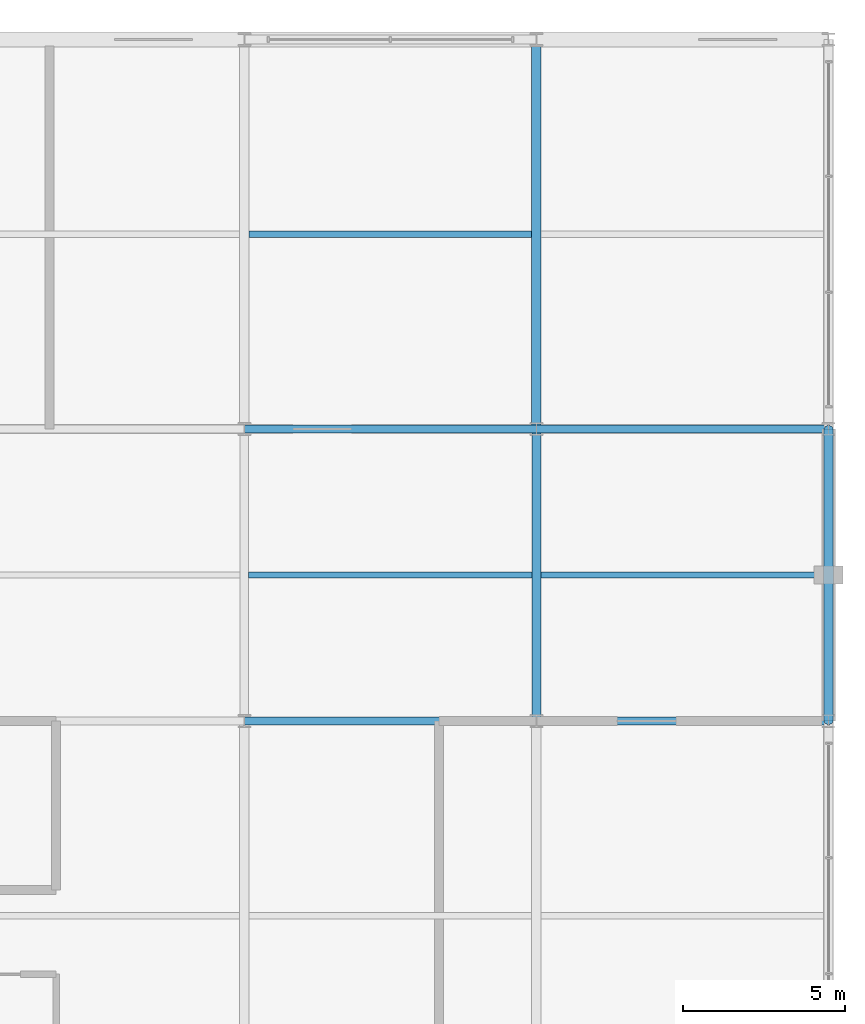
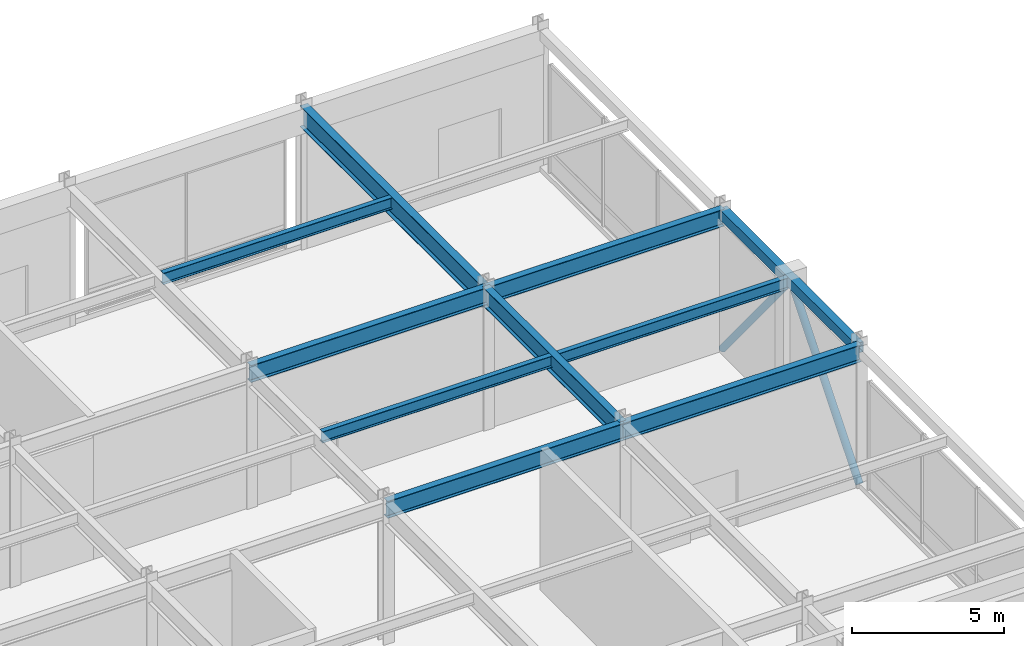
# One storey, part 67 of 105: 10 beams, 2 members.
"""IFC4 building model written with IfcOpenShell, lengths in metres."""

from ifc_helpers import new_model, si_unit, direction, frame, origin, origin_2d, place, context, subcontext, project, spatial, hollow_rectangle, hollow_circle, i_section, extrude, material, material_profile, profile_set, type_object, element, save


model = new_model("IFC4")

# Units and contexts
model_context = context("Model", 3, precision=1e-05, world=origin(), true_north=direction((0.0, 1.0)))
body_context = subcontext(model_context, "Body", "Model", "MODEL_VIEW")
ifc_project = project(units=[si_unit("LENGTHUNIT", "METRE"), si_unit("AREAUNIT", "SQUARE_METRE"), si_unit("VOLUMEUNIT", "CUBIC_METRE"), si_unit("PLANEANGLEUNIT", "RADIAN"), si_unit("MASSUNIT", "GRAM", prefix="KILO")], contexts=[model_context])

# Site, building, storey
site_placement = place(None, origin())
site = spatial("IfcSite", under=ifc_project, at=site_placement, CompositionType="ELEMENT")
building_placement = place(site_placement, origin())
building = spatial("IfcBuilding", under=site, at=building_placement, Name="Kaldorvane Square Convention Centre", CompositionType="ELEMENT")
storey_placement = place(building_placement, frame((0.0, 0.0, 6.0)))
storey = spatial("IfcBuildingStorey", under=building, at=storey_placement, Name="L01", CompositionType="ELEMENT", Elevation=6.0)

# Beams
ifc_material_1 = material(Name="Steel ASTM A992 Gr. 50", Category="steel")
ifc_material_profile_1 = material_profile(ifc_material_1, i_section(OverallWidth=0.25439453125, OverallDepth=0.6880950927734375, WebThickness=0.0131072998046875, FlangeThickness=0.0211029052734375, FilletRadius=0.01519775390625, at=origin_2d()), Name="W27X102")
ifc_profile_set_1 = profile_set([ifc_material_profile_1], Name="Steel ASTM A992 Gr. 50")
beam_type_1 = type_object("IfcBeamType", Name="BM-GR-W27X102", PredefinedType="BEAM", material=ifc_profile_set_1)
for number, where, z_axis, x_axis, name in (
    (1, (156.0, 96.0, 5.332000732421875), (1.0, 0.0, 0.0), (0.0, 1.0, 0.0), "Primary Girder (L01)"),
    (2, (165.0, 96.0, 5.332000732421875), (1.0, 0.0, 0.0), (0.0, 1.0, 0.0), "Primary Girder (L01)"),
    (3, (156.0, 105.0, 5.332000732421875), (1.0, 0.0, 0.0), (0.0, 1.0, 0.0), "Primary Girder (L01)"),
    (4, (165.0, 105.0, 5.332000732421875), (1.0, 0.0, 0.0), (0.0, 1.0, 0.0), "Primary Girder (L01)"),
):
    element("IfcBeam", number, at=place(storey_placement, frame(where, z_axis=z_axis, x_axis=x_axis)), inside=storey, type_object=beam_type_1, Name=name, PredefinedType="BEAM", context=body_context, shape_type="SweptSolid", body=[
        extrude(i_section(OverallWidth=0.25439453125, OverallDepth=0.6880950927734375, WebThickness=0.0131072998046875, FlangeThickness=0.0211029052734375, FilletRadius=0.01519775390625, at=origin_2d()), origin(), (0.0, 0.0, 1.0), 9.0),
    ])
ifc_material_profile_2 = material_profile(ifc_material_1, i_section(OverallWidth=0.2666015625, OverallDepth=0.762298583984375, WebThickness=0.014404296875, FlangeThickness=0.0216064453125, FilletRadius=0.0164947509765625, at=origin_2d()), Name="W30X116")
ifc_profile_set_2 = profile_set([ifc_material_profile_2], Name="Steel ASTM A992 Gr. 50")
beam_type_2 = type_object("IfcBeamType", Name="BM-GR-W30X116", PredefinedType="BEAM", material=ifc_profile_set_2)
beam_1_placement = place(storey_placement, frame((165.0, 96.0, 5.2949066162109375), z_axis=(0.0, 1.0, 0.0), x_axis=(-1.0, 0.0, 0.0)))
element("IfcBeam", 5, at=beam_1_placement, inside=storey, type_object=beam_type_2, Name="Transverse Girder (L01)", PredefinedType="BEAM", context=body_context, shape_type="SweptSolid", body=[
    extrude(i_section(OverallWidth=0.2666015625, OverallDepth=0.762298583984375, WebThickness=0.014404296875, FlangeThickness=0.0216064453125, FilletRadius=0.0164947509765625, at=origin_2d()), origin(), (0.0, 0.0, 1.0), 9.0),
])
ifc_material_profile_3 = material_profile(ifc_material_1, i_section(OverallWidth=0.292999267578125, OverallDepth=0.845794677734375, WebThickness=0.0153961181640625, FlangeThickness=0.0243988037109375, FilletRadius=0.0178070068359375, at=origin_2d()), Name="W33X141")
ifc_profile_set_3 = profile_set([ifc_material_profile_3], Name="Steel ASTM A992 Gr. 50")
beam_type_3 = type_object("IfcBeamType", Name="BM-GR-W33X141", PredefinedType="BEAM", material=ifc_profile_set_3)
beam_2_placement = place(storey_placement, frame((165.0, 105.0, 5.2530975341796875), z_axis=(0.0, 1.0, 0.0), x_axis=(-1.0, 0.0, 0.0)))
element("IfcBeam", 6, at=beam_2_placement, inside=storey, type_object=beam_type_3, Name="Transverse Girder (L01)", PredefinedType="BEAM", context=body_context, shape_type="SweptSolid", body=[
    extrude(i_section(OverallWidth=0.292999267578125, OverallDepth=0.845794677734375, WebThickness=0.0153961181640625, FlangeThickness=0.0243988037109375, FilletRadius=0.0178070068359375, at=origin_2d()), origin(), (0.0, 0.0, 1.0), 12.0),
])
ifc_material_profile_4 = material_profile(ifc_material_1, i_section(OverallWidth=0.1912994384765625, OverallDepth=0.4600067138671875, WebThickness=0.0099029541015625, FlangeThickness=0.0160064697265625, FilletRadius=0.01019287109375, at=origin_2d()), Name="W18X55")
ifc_profile_set_4 = profile_set([ifc_material_profile_4], Name="Steel ASTM A992 Gr. 50")
beam_type_4 = type_object("IfcBeamType", Name="BM-JS-W18X55", PredefinedType="JOIST", material=ifc_profile_set_4)
beam_3_placement = place(storey_placement, frame((156.13330078125, 100.5, 5.4459991455078125), z_axis=(1.0, 0.0, 0.0), x_axis=(0.0, 1.0, 0.0)))
element("IfcBeam", 7, at=beam_3_placement, inside=storey, type_object=beam_type_4, Name="Secondary Floor Joist (L01)", PredefinedType="JOIST", context=body_context, shape_type="SweptSolid", body=[
    extrude(i_section(OverallWidth=0.1912994384765625, OverallDepth=0.4600067138671875, WebThickness=0.0099029541015625, FlangeThickness=0.0160064697265625, FilletRadius=0.01019287109375, at=origin_2d()), origin(), (0.0, 0.0, 1.0), 8.7333984375),
])
beam_4_placement = place(storey_placement, frame((165.13330078125, 100.5, 5.4459991455078125), z_axis=(1.0, 0.0, 0.0), x_axis=(0.0, 1.0, 0.0)))
element("IfcBeam", 8, at=beam_4_placement, inside=storey, type_object=beam_type_4, Name="Secondary Floor Joist (L01)", PredefinedType="JOIST", context=body_context, shape_type="SweptSolid", body=[
    extrude(i_section(OverallWidth=0.1912994384765625, OverallDepth=0.4600067138671875, WebThickness=0.0099029541015625, FlangeThickness=0.0160064697265625, FilletRadius=0.01019287109375, at=origin_2d()), origin(), (0.0, 0.0, 1.0), 8.71429443359375),
])
beam_5_placement = place(storey_placement, frame((156.14649963378906, 111.0, 5.4459991455078125), z_axis=(1.0, 0.0, 0.0), x_axis=(0.0, 1.0, 0.0)))
element("IfcBeam", 9, at=beam_5_placement, inside=storey, type_object=beam_type_4, Name="Secondary Floor Joist (L01)", PredefinedType="JOIST", context=body_context, shape_type="SweptSolid", body=[
    extrude(i_section(OverallWidth=0.1912994384765625, OverallDepth=0.4600067138671875, WebThickness=0.0099029541015625, FlangeThickness=0.0160064697265625, FilletRadius=0.01019287109375, at=origin_2d()), origin(), (0.0, 0.0, 1.0), 8.707000732421875),
])
ifc_material_2 = material(Name="Steel ASTM A500 Gr. C", Category="steel")
ifc_material_profile_5 = material_profile(ifc_material_2, hollow_rectangle(XDim=0.3047943115234375, YDim=0.406402587890625, WallThickness=0.0117950439453125, at=origin_2d()), Name="HSS16X12X1/2")
ifc_profile_set_5 = profile_set([ifc_material_profile_5], Name="Steel ASTM A500 Gr. C")
beam_type_5 = type_object("IfcBeamType", Name="BM-SP-HSS16", PredefinedType="SPANDREL", material=ifc_profile_set_5)
beam_6_placement = place(storey_placement, frame((174.0, 96.0, 5.4727935791015625), z_axis=(0.0, 1.0, 0.0), x_axis=(-1.0, 0.0, 0.0)))
element("IfcBeam", 10, at=beam_6_placement, inside=storey, type_object=beam_type_5, Name="End Spandrel (L01)", PredefinedType="SPANDREL", context=body_context, shape_type="SweptSolid", body=[
    extrude(hollow_rectangle(XDim=0.3047943115234375, YDim=0.406402587890625, WallThickness=0.0117950439453125, at=origin_2d()), origin(), (0.0, 0.0, 1.0), 9.0),
])

# Members
ifc_material_profile_6 = material_profile(ifc_material_2, hollow_circle(Radius=0.1365509033203125, WallThickness=0.0117950439453125, at=origin_2d()), Name="HSS10.750X0.500")
ifc_profile_set_6 = profile_set([ifc_material_profile_6], Name="Steel ASTM A500 Gr. C")
member_type = type_object("IfcMemberType", Name="MB-BR-CHS10", PredefinedType="BRACE", material=ifc_profile_set_6)
for number, where, z_axis, x_axis, name in (
    (11, (174.0, 96.0, 0.0), (0.0, 0.635117820374, 0.772415273181), (-1.0, 0.0, 0.0), "Seismic Chevron Brace X174-B2A (L01)"),
    (12, (174.0, 105.0, 0.0), (0.0, -0.635117820374, 0.772415273181), (1.0, 0.0, 0.0), "Seismic Chevron Brace X174-B2B (L01)"),
):
    element("IfcMember", number, at=place(storey_placement, frame(where, z_axis=z_axis, x_axis=x_axis)), inside=storey, type_object=member_type, Name=name, PredefinedType="BRACE", context=body_context, shape_type="SweptSolid", body=[
        extrude(hollow_circle(Radius=0.1365509033203125, WallThickness=0.0117950439453125, at=origin_2d()), origin(), (0.0, 0.0, 1.0), 7.085296630859375),
    ])

save(model, "model.ifc")
